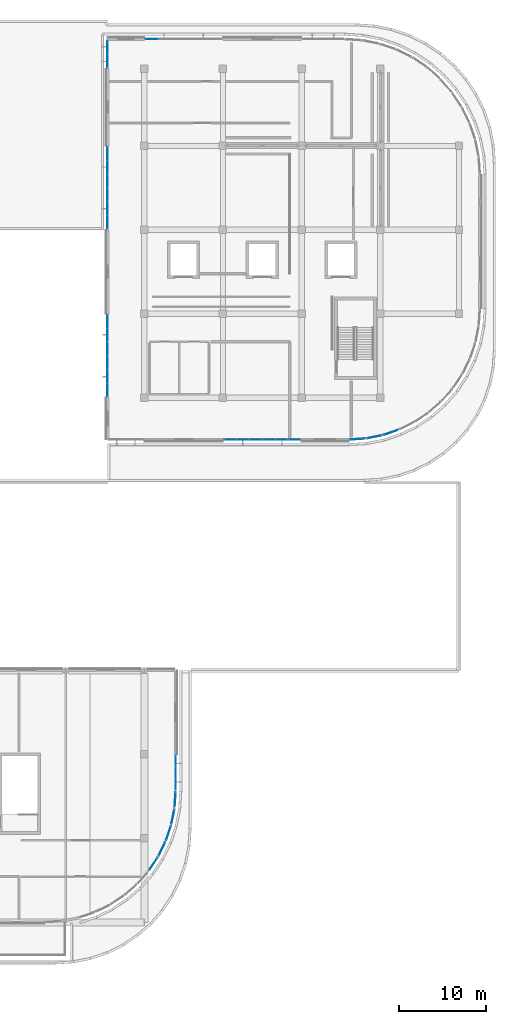
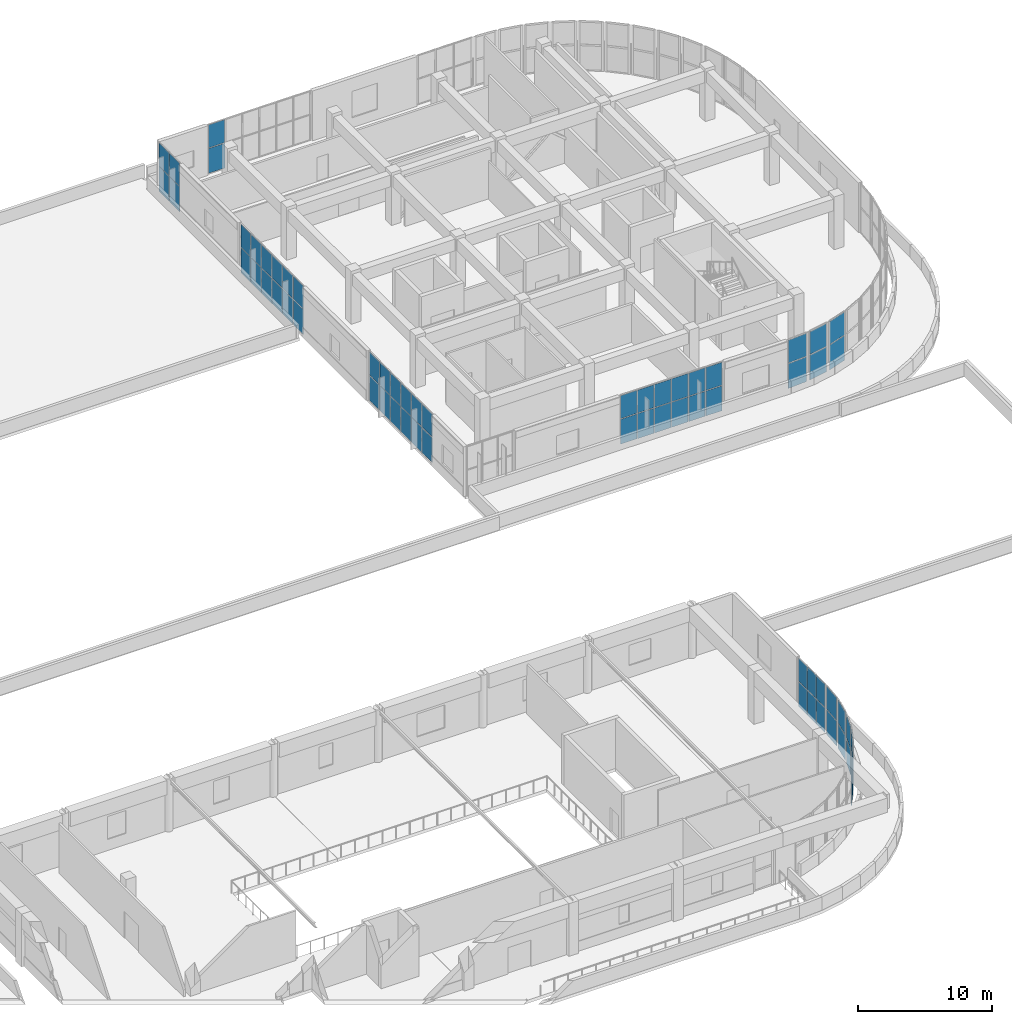
# One storey, part 33 of 67: 64 plates, 14 elements without a shape of their own.
"""IFC4 building model written with IfcOpenShell, lengths in metres."""

from ifc_helpers import new_model, si_unit, direction, frame, origin, origin_2d, place, context, subcontext, project, spatial, rectangle, extrude, material, layer, layer_set, type_object, element, aggregate, save


model = new_model("IFC4")

# Units and contexts
model_context = context("Model", 3, precision=1e-05, world=origin(), true_north=direction((0.0, 1.0)))
body_context = subcontext(model_context, "Body", "Model", "MODEL_VIEW")
ifc_project = project(units=[si_unit("LENGTHUNIT", "METRE"), si_unit("AREAUNIT", "SQUARE_METRE"), si_unit("VOLUMEUNIT", "CUBIC_METRE"), si_unit("PLANEANGLEUNIT", "RADIAN"), si_unit("MASSUNIT", "GRAM", prefix="KILO")], contexts=[model_context])

# Site, building, storey
site_placement = place(None, origin())
site = spatial("IfcSite", under=ifc_project, at=site_placement, CompositionType="ELEMENT")
building_placement = place(site_placement, origin())
building = spatial("IfcBuilding", under=site, at=building_placement, Name="Cendralis Terraced Arcade", CompositionType="ELEMENT")
storey_placement = place(building_placement, frame((0.0, 0.0, 15.0)))
storey = spatial("IfcBuildingStorey", under=building, at=storey_placement, Name="L03", CompositionType="ELEMENT", Elevation=15.0)

# Curtain wall, plates
ifc_material_1 = material(Name="Anodised aluminium EN AW-6063 T6", Category="aluminium")
ifc_layer_1 = layer(ifc_material_1, 0.1201171875, Name="CW-STORE-B")
ifc_layer_set_1 = layer_set([ifc_layer_1], Name="Anodised aluminium EN AW-6063 T6")
curtain_wall_type_1 = type_object("IfcCurtainWallType", Name="CW-STORE-B", PredefinedType="USERDEFINED", material=ifc_layer_set_1)
curtain_wall_1_placement = place(storey_placement, origin())
curtain_wall_1 = element("IfcCurtainWall", 1, at=curtain_wall_1_placement, inside=storey, type_object=curtain_wall_type_1, Name="Exterior Storefront Glazing CW-L03-0251", ObjectType="STOREFRONT GLAZING", PredefinedType="USERDEFINED")
ifc_material_2 = material(Name="Tempered solar control laminated glass", Category="glass")
ifc_layer_2 = layer(ifc_material_2, 0.02392578125, Name="CW-STORE-B-PNL")
ifc_layer_set_2 = layer_set([ifc_layer_2], Name="Tempered solar control laminated glass")
plate_type_1 = type_object("IfcPlateType", Name="CW-STORE-B-PNL", PredefinedType="CURTAIN_PANEL", material=ifc_layer_set_2)
plate_1_placement = place(storey_placement, frame((147.361328125, 64.800048828125, 0.05517578125), z_axis=(0.0, 0.0, 1.0), x_axis=(-1.0, 0.0, 0.0)))
plate_1 = element("IfcPlate", 2, at=plate_1_placement, type_object=plate_type_1, Name="CW-S2 panel 1.1", PredefinedType="CURTAIN_PANEL", context=body_context, shape_type="SweptSolid", body=[
    extrude(rectangle(XDim=1.387451171875, YDim=0.02392578125, at=origin_2d()), origin(), (0.0, 0.0, 1.0), 2.267822265625),
])
plate_2_placement = place(storey_placement, frame((147.361328125, 64.800048828125, 2.3779296875), z_axis=(0.0, 0.0, 1.0), x_axis=(-1.0, 0.0, 0.0)))
plate_2 = element("IfcPlate", 3, at=plate_2_placement, type_object=plate_type_1, Name="CW-S2 panel 1.2", PredefinedType="CURTAIN_PANEL", context=body_context, shape_type="SweptSolid", body=[
    extrude(rectangle(XDim=1.387451171875, YDim=0.02392578125, at=origin_2d()), origin(), (0.0, 0.0, 1.0), 2.087158203125),
])
plate_3_placement = place(storey_placement, frame((145.905029296875, 64.800048828125, 0.05517578125), z_axis=(0.0, 0.0, 1.0), x_axis=(-1.0, 0.0, 0.0)))
plate_3 = element("IfcPlate", 4, at=plate_3_placement, type_object=plate_type_1, Name="CW-S2 panel 2.1", PredefinedType="CURTAIN_PANEL", context=body_context, shape_type="SweptSolid", body=[
    extrude(rectangle(XDim=1.4150390625, YDim=0.02392578125, at=origin_2d()), origin(), (0.0, 0.0, 1.0), 2.267822265625),
])
plate_4_placement = place(storey_placement, frame((145.905029296875, 64.800048828125, 2.3779296875), z_axis=(0.0, 0.0, 1.0), x_axis=(-1.0, 0.0, 0.0)))
plate_4 = element("IfcPlate", 5, at=plate_4_placement, type_object=plate_type_1, Name="CW-S2 panel 2.2", PredefinedType="CURTAIN_PANEL", context=body_context, shape_type="SweptSolid", body=[
    extrude(rectangle(XDim=1.4150390625, YDim=0.02392578125, at=origin_2d()), origin(), (0.0, 0.0, 1.0), 2.087158203125),
])
plate_5_placement = place(storey_placement, frame((144.43505859375, 64.800048828125, 0.05517578125), z_axis=(0.0, 0.0, 1.0), x_axis=(-1.0, 0.0, 0.0)))
plate_5 = element("IfcPlate", 6, at=plate_5_placement, type_object=plate_type_1, Name="CW-S2 panel 3.1", PredefinedType="CURTAIN_PANEL", context=body_context, shape_type="SweptSolid", body=[
    extrude(rectangle(XDim=1.4150390625, YDim=0.02392578125, at=origin_2d()), origin(), (0.0, 0.0, 1.0), 2.267822265625),
])
plate_6_placement = place(storey_placement, frame((144.43505859375, 64.800048828125, 2.3779296875), z_axis=(0.0, 0.0, 1.0), x_axis=(-1.0, 0.0, 0.0)))
plate_6 = element("IfcPlate", 7, at=plate_6_placement, type_object=plate_type_1, Name="CW-S2 panel 3.2", PredefinedType="CURTAIN_PANEL", context=body_context, shape_type="SweptSolid", body=[
    extrude(rectangle(XDim=1.4150390625, YDim=0.02392578125, at=origin_2d()), origin(), (0.0, 0.0, 1.0), 2.087158203125),
])
plate_7_placement = place(storey_placement, frame((142.965087890625, 64.800048828125, 0.05517578125), z_axis=(0.0, 0.0, 1.0), x_axis=(-1.0, 0.0, 0.0)))
plate_7 = element("IfcPlate", 8, at=plate_7_placement, type_object=plate_type_1, Name="CW-S2 panel 4.1", PredefinedType="CURTAIN_PANEL", context=body_context, shape_type="SweptSolid", body=[
    extrude(rectangle(XDim=1.4150390625, YDim=0.02392578125, at=origin_2d()), origin(), (0.0, 0.0, 1.0), 2.267822265625),
])
plate_8_placement = place(storey_placement, frame((142.965087890625, 64.800048828125, 2.3779296875), z_axis=(0.0, 0.0, 1.0), x_axis=(-1.0, 0.0, 0.0)))
plate_8 = element("IfcPlate", 9, at=plate_8_placement, type_object=plate_type_1, Name="CW-S2 panel 4.2", PredefinedType="CURTAIN_PANEL", context=body_context, shape_type="SweptSolid", body=[
    extrude(rectangle(XDim=1.4150390625, YDim=0.02392578125, at=origin_2d()), origin(), (0.0, 0.0, 1.0), 2.087158203125),
])
plate_9_placement = place(storey_placement, frame((141.4951171875, 64.800048828125, 0.05517578125), z_axis=(0.0, 0.0, 1.0), x_axis=(-1.0, 0.0, 0.0)))
plate_9 = element("IfcPlate", 10, at=plate_9_placement, type_object=plate_type_1, Name="CW-S2 panel 5.1", PredefinedType="CURTAIN_PANEL", context=body_context, shape_type="SweptSolid", body=[
    extrude(rectangle(XDim=1.4150390625, YDim=0.02392578125, at=origin_2d()), origin(), (0.0, 0.0, 1.0), 2.267822265625),
])
plate_10_placement = place(storey_placement, frame((141.4951171875, 64.800048828125, 2.3779296875), z_axis=(0.0, 0.0, 1.0), x_axis=(-1.0, 0.0, 0.0)))
plate_10 = element("IfcPlate", 11, at=plate_10_placement, type_object=plate_type_1, Name="CW-S2 panel 5.2", PredefinedType="CURTAIN_PANEL", context=body_context, shape_type="SweptSolid", body=[
    extrude(rectangle(XDim=1.4150390625, YDim=0.02392578125, at=origin_2d()), origin(), (0.0, 0.0, 1.0), 2.087158203125),
])
plate_11_placement = place(storey_placement, frame((140.038818359375, 64.800048828125, 0.05517578125), z_axis=(0.0, 0.0, 1.0), x_axis=(-1.0, 0.0, 0.0)))
plate_11 = element("IfcPlate", 12, at=plate_11_placement, type_object=plate_type_1, Name="CW-S2 panel 6.1", PredefinedType="CURTAIN_PANEL", context=body_context, shape_type="SweptSolid", body=[
    extrude(rectangle(XDim=1.387451171875, YDim=0.02392578125, at=origin_2d()), origin(), (0.0, 0.0, 1.0), 2.267822265625),
])
plate_12_placement = place(storey_placement, frame((140.038818359375, 64.800048828125, 2.3779296875), z_axis=(0.0, 0.0, 1.0), x_axis=(-1.0, 0.0, 0.0)))
plate_12 = element("IfcPlate", 13, at=plate_12_placement, type_object=plate_type_1, Name="CW-S2 panel 6.2", PredefinedType="CURTAIN_PANEL", context=body_context, shape_type="SweptSolid", body=[
    extrude(rectangle(XDim=1.387451171875, YDim=0.02392578125, at=origin_2d()), origin(), (0.0, 0.0, 1.0), 2.087158203125),
])
aggregate(curtain_wall_1, [plate_1, plate_2, plate_3, plate_4, plate_5, plate_6, plate_7, plate_8, plate_9, plate_10, plate_11, plate_12])

curtain_wall_2_placement = place(storey_placement, origin())
curtain_wall_2 = element("IfcCurtainWall", 14, at=curtain_wall_2_placement, inside=storey, type_object=curtain_wall_type_1, Name="Exterior Storefront Glazing CW-L03-0253", ObjectType="STOREFRONT GLAZING", PredefinedType="USERDEFINED")
plate_13_placement = place(storey_placement, frame((126.0, 70.48876953125, 0.05517578125), z_axis=(0.0, 0.0, 1.0), x_axis=(0.0, 1.0, 0.0)))
plate_13 = element("IfcPlate", 15, at=plate_13_placement, type_object=plate_type_1, Name="CW-S2 panel 1.1", PredefinedType="CURTAIN_PANEL", context=body_context, shape_type="SweptSolid", body=[
    extrude(rectangle(XDim=1.487548828125, YDim=0.02392578125, at=origin_2d()), origin(), (0.0, 0.0, 1.0), 2.267822265625),
])
plate_14_placement = place(storey_placement, frame((126.0, 70.48876953125, 2.3779296875), z_axis=(0.0, 0.0, 1.0), x_axis=(0.0, 1.0, 0.0)))
plate_14 = element("IfcPlate", 16, at=plate_14_placement, type_object=plate_type_1, Name="CW-S2 panel 1.2", PredefinedType="CURTAIN_PANEL", context=body_context, shape_type="SweptSolid", body=[
    extrude(rectangle(XDim=1.487548828125, YDim=0.02392578125, at=origin_2d()), origin(), (0.0, 0.0, 1.0), 2.087158203125),
])
plate_15_placement = place(storey_placement, frame((126.0, 72.044921875, 0.05517578125), z_axis=(0.0, 0.0, 1.0), x_axis=(0.0, 1.0, 0.0)))
plate_15 = element("IfcPlate", 17, at=plate_15_placement, type_object=plate_type_1, Name="CW-S2 panel 2.1", PredefinedType="CURTAIN_PANEL", context=body_context, shape_type="SweptSolid", body=[
    extrude(rectangle(XDim=1.514892578125, YDim=0.02392578125, at=origin_2d()), origin(), (0.0, 0.0, 1.0), 2.267822265625),
])
plate_16_placement = place(storey_placement, frame((126.0, 72.044921875, 2.3779296875), z_axis=(0.0, 0.0, 1.0), x_axis=(0.0, 1.0, 0.0)))
plate_16 = element("IfcPlate", 18, at=plate_16_placement, type_object=plate_type_1, Name="CW-S2 panel 2.2", PredefinedType="CURTAIN_PANEL", context=body_context, shape_type="SweptSolid", body=[
    extrude(rectangle(XDim=1.514892578125, YDim=0.02392578125, at=origin_2d()), origin(), (0.0, 0.0, 1.0), 2.087158203125),
])
plate_17_placement = place(storey_placement, frame((126.0, 73.614990234375, 0.05517578125), z_axis=(0.0, 0.0, 1.0), x_axis=(0.0, 1.0, 0.0)))
plate_17 = element("IfcPlate", 19, at=plate_17_placement, type_object=plate_type_1, Name="CW-S2 panel 3.1", PredefinedType="CURTAIN_PANEL", context=body_context, shape_type="SweptSolid", body=[
    extrude(rectangle(XDim=1.514892578125, YDim=0.02392578125, at=origin_2d()), origin(), (0.0, 0.0, 1.0), 2.267822265625),
])
plate_18_placement = place(storey_placement, frame((126.0, 73.614990234375, 2.3779296875), z_axis=(0.0, 0.0, 1.0), x_axis=(0.0, 1.0, 0.0)))
plate_18 = element("IfcPlate", 20, at=plate_18_placement, type_object=plate_type_1, Name="CW-S2 panel 3.2", PredefinedType="CURTAIN_PANEL", context=body_context, shape_type="SweptSolid", body=[
    extrude(rectangle(XDim=1.514892578125, YDim=0.02392578125, at=origin_2d()), origin(), (0.0, 0.0, 1.0), 2.087158203125),
])
plate_19_placement = place(storey_placement, frame((126.0, 75.18505859375, 0.05517578125), z_axis=(0.0, 0.0, 1.0), x_axis=(0.0, 1.0, 0.0)))
plate_19 = element("IfcPlate", 21, at=plate_19_placement, type_object=plate_type_1, Name="CW-S2 panel 4.1", PredefinedType="CURTAIN_PANEL", context=body_context, shape_type="SweptSolid", body=[
    extrude(rectangle(XDim=1.514892578125, YDim=0.02392578125, at=origin_2d()), origin(), (0.0, 0.0, 1.0), 2.267822265625),
])
plate_20_placement = place(storey_placement, frame((126.0, 75.18505859375, 2.3779296875), z_axis=(0.0, 0.0, 1.0), x_axis=(0.0, 1.0, 0.0)))
plate_20 = element("IfcPlate", 22, at=plate_20_placement, type_object=plate_type_1, Name="CW-S2 panel 4.2", PredefinedType="CURTAIN_PANEL", context=body_context, shape_type="SweptSolid", body=[
    extrude(rectangle(XDim=1.514892578125, YDim=0.02392578125, at=origin_2d()), origin(), (0.0, 0.0, 1.0), 2.087158203125),
])
plate_21_placement = place(storey_placement, frame((126.0, 76.7548828125, 0.05517578125), z_axis=(0.0, 0.0, 1.0), x_axis=(0.0, 1.0, 0.0)))
plate_21 = element("IfcPlate", 23, at=plate_21_placement, type_object=plate_type_1, Name="CW-S2 panel 5.1", PredefinedType="CURTAIN_PANEL", context=body_context, shape_type="SweptSolid", body=[
    extrude(rectangle(XDim=1.514892578125, YDim=0.02392578125, at=origin_2d()), origin(), (0.0, 0.0, 1.0), 2.267822265625),
])
plate_22_placement = place(storey_placement, frame((126.0, 76.7548828125, 2.3779296875), z_axis=(0.0, 0.0, 1.0), x_axis=(0.0, 1.0, 0.0)))
plate_22 = element("IfcPlate", 24, at=plate_22_placement, type_object=plate_type_1, Name="CW-S2 panel 5.2", PredefinedType="CURTAIN_PANEL", context=body_context, shape_type="SweptSolid", body=[
    extrude(rectangle(XDim=1.514892578125, YDim=0.02392578125, at=origin_2d()), origin(), (0.0, 0.0, 1.0), 2.087158203125),
])
plate_23_placement = place(storey_placement, frame((126.0, 78.311279296875, 0.05517578125), z_axis=(0.0, 0.0, 1.0), x_axis=(0.0, 1.0, 0.0)))
plate_23 = element("IfcPlate", 25, at=plate_23_placement, type_object=plate_type_1, Name="CW-S2 panel 6.1", PredefinedType="CURTAIN_PANEL", context=body_context, shape_type="SweptSolid", body=[
    extrude(rectangle(XDim=1.487548828125, YDim=0.02392578125, at=origin_2d()), origin(), (0.0, 0.0, 1.0), 2.267822265625),
])
plate_24_placement = place(storey_placement, frame((126.0, 78.311279296875, 2.3779296875), z_axis=(0.0, 0.0, 1.0), x_axis=(0.0, 1.0, 0.0)))
plate_24 = element("IfcPlate", 26, at=plate_24_placement, type_object=plate_type_1, Name="CW-S2 panel 6.2", PredefinedType="CURTAIN_PANEL", context=body_context, shape_type="SweptSolid", body=[
    extrude(rectangle(XDim=1.487548828125, YDim=0.02392578125, at=origin_2d()), origin(), (0.0, 0.0, 1.0), 2.087158203125),
])
aggregate(curtain_wall_2, [plate_13, plate_14, plate_15, plate_16, plate_17, plate_18, plate_19, plate_20, plate_21, plate_22, plate_23, plate_24])

curtain_wall_3_placement = place(storey_placement, origin())
curtain_wall_3 = element("IfcCurtainWall", 27, at=curtain_wall_3_placement, inside=storey, type_object=curtain_wall_type_1, Name="Exterior Storefront Glazing CW-L03-0254", ObjectType="STOREFRONT GLAZING", PredefinedType="USERDEFINED")
plate_25_placement = place(storey_placement, frame((126.0, 89.688720703125, 0.05517578125), z_axis=(0.0, 0.0, 1.0), x_axis=(0.0, 1.0, 0.0)))
plate_25 = element("IfcPlate", 28, at=plate_25_placement, type_object=plate_type_1, Name="CW-S2 panel 1.1", PredefinedType="CURTAIN_PANEL", context=body_context, shape_type="SweptSolid", body=[
    extrude(rectangle(XDim=1.487548828125, YDim=0.02392578125, at=origin_2d()), origin(), (0.0, 0.0, 1.0), 2.267822265625),
])
plate_26_placement = place(storey_placement, frame((126.0, 89.688720703125, 2.3779296875), z_axis=(0.0, 0.0, 1.0), x_axis=(0.0, 1.0, 0.0)))
plate_26 = element("IfcPlate", 29, at=plate_26_placement, type_object=plate_type_1, Name="CW-S2 panel 1.2", PredefinedType="CURTAIN_PANEL", context=body_context, shape_type="SweptSolid", body=[
    extrude(rectangle(XDim=1.487548828125, YDim=0.02392578125, at=origin_2d()), origin(), (0.0, 0.0, 1.0), 2.087158203125),
])
plate_27_placement = place(storey_placement, frame((126.0, 91.2451171875, 0.05517578125), z_axis=(0.0, 0.0, 1.0), x_axis=(0.0, 1.0, 0.0)))
plate_27 = element("IfcPlate", 30, at=plate_27_placement, type_object=plate_type_1, Name="CW-S2 panel 2.1", PredefinedType="CURTAIN_PANEL", context=body_context, shape_type="SweptSolid", body=[
    extrude(rectangle(XDim=1.514892578125, YDim=0.02392578125, at=origin_2d()), origin(), (0.0, 0.0, 1.0), 2.267822265625),
])
plate_28_placement = place(storey_placement, frame((126.0, 91.2451171875, 2.3779296875), z_axis=(0.0, 0.0, 1.0), x_axis=(0.0, 1.0, 0.0)))
plate_28 = element("IfcPlate", 31, at=plate_28_placement, type_object=plate_type_1, Name="CW-S2 panel 2.2", PredefinedType="CURTAIN_PANEL", context=body_context, shape_type="SweptSolid", body=[
    extrude(rectangle(XDim=1.514892578125, YDim=0.02392578125, at=origin_2d()), origin(), (0.0, 0.0, 1.0), 2.087158203125),
])
plate_29_placement = place(storey_placement, frame((126.0, 92.81494140625, 0.05517578125), z_axis=(0.0, 0.0, 1.0), x_axis=(0.0, 1.0, 0.0)))
plate_29 = element("IfcPlate", 32, at=plate_29_placement, type_object=plate_type_1, Name="CW-S2 panel 3.1", PredefinedType="CURTAIN_PANEL", context=body_context, shape_type="SweptSolid", body=[
    extrude(rectangle(XDim=1.514892578125, YDim=0.02392578125, at=origin_2d()), origin(), (0.0, 0.0, 1.0), 2.267822265625),
])
plate_30_placement = place(storey_placement, frame((126.0, 92.81494140625, 2.3779296875), z_axis=(0.0, 0.0, 1.0), x_axis=(0.0, 1.0, 0.0)))
plate_30 = element("IfcPlate", 33, at=plate_30_placement, type_object=plate_type_1, Name="CW-S2 panel 3.2", PredefinedType="CURTAIN_PANEL", context=body_context, shape_type="SweptSolid", body=[
    extrude(rectangle(XDim=1.514892578125, YDim=0.02392578125, at=origin_2d()), origin(), (0.0, 0.0, 1.0), 2.087158203125),
])
plate_31_placement = place(storey_placement, frame((126.0, 94.385009765625, 0.05517578125), z_axis=(0.0, 0.0, 1.0), x_axis=(0.0, 1.0, 0.0)))
plate_31 = element("IfcPlate", 34, at=plate_31_placement, type_object=plate_type_1, Name="CW-S2 panel 4.1", PredefinedType="CURTAIN_PANEL", context=body_context, shape_type="SweptSolid", body=[
    extrude(rectangle(XDim=1.514892578125, YDim=0.02392578125, at=origin_2d()), origin(), (0.0, 0.0, 1.0), 2.267822265625),
])
plate_32_placement = place(storey_placement, frame((126.0, 94.385009765625, 2.3779296875), z_axis=(0.0, 0.0, 1.0), x_axis=(0.0, 1.0, 0.0)))
plate_32 = element("IfcPlate", 35, at=plate_32_placement, type_object=plate_type_1, Name="CW-S2 panel 4.2", PredefinedType="CURTAIN_PANEL", context=body_context, shape_type="SweptSolid", body=[
    extrude(rectangle(XDim=1.514892578125, YDim=0.02392578125, at=origin_2d()), origin(), (0.0, 0.0, 1.0), 2.087158203125),
])
plate_33_placement = place(storey_placement, frame((126.0, 95.955078125, 0.05517578125), z_axis=(0.0, 0.0, 1.0), x_axis=(0.0, 1.0, 0.0)))
plate_33 = element("IfcPlate", 36, at=plate_33_placement, type_object=plate_type_1, Name="CW-S2 panel 5.1", PredefinedType="CURTAIN_PANEL", context=body_context, shape_type="SweptSolid", body=[
    extrude(rectangle(XDim=1.514892578125, YDim=0.02392578125, at=origin_2d()), origin(), (0.0, 0.0, 1.0), 2.267822265625),
])
plate_34_placement = place(storey_placement, frame((126.0, 95.955078125, 2.3779296875), z_axis=(0.0, 0.0, 1.0), x_axis=(0.0, 1.0, 0.0)))
plate_34 = element("IfcPlate", 37, at=plate_34_placement, type_object=plate_type_1, Name="CW-S2 panel 5.2", PredefinedType="CURTAIN_PANEL", context=body_context, shape_type="SweptSolid", body=[
    extrude(rectangle(XDim=1.514892578125, YDim=0.02392578125, at=origin_2d()), origin(), (0.0, 0.0, 1.0), 2.087158203125),
])
plate_35_placement = place(storey_placement, frame((126.0, 97.51123046875, 0.05517578125), z_axis=(0.0, 0.0, 1.0), x_axis=(0.0, 1.0, 0.0)))
plate_35 = element("IfcPlate", 38, at=plate_35_placement, type_object=plate_type_1, Name="CW-S2 panel 6.1", PredefinedType="CURTAIN_PANEL", context=body_context, shape_type="SweptSolid", body=[
    extrude(rectangle(XDim=1.487548828125, YDim=0.02392578125, at=origin_2d()), origin(), (0.0, 0.0, 1.0), 2.267822265625),
])
plate_36_placement = place(storey_placement, frame((126.0, 97.51123046875, 2.3779296875), z_axis=(0.0, 0.0, 1.0), x_axis=(0.0, 1.0, 0.0)))
plate_36 = element("IfcPlate", 39, at=plate_36_placement, type_object=plate_type_1, Name="CW-S2 panel 6.2", PredefinedType="CURTAIN_PANEL", context=body_context, shape_type="SweptSolid", body=[
    extrude(rectangle(XDim=1.487548828125, YDim=0.02392578125, at=origin_2d()), origin(), (0.0, 0.0, 1.0), 2.087158203125),
])
aggregate(curtain_wall_3, [plate_25, plate_26, plate_27, plate_28, plate_29, plate_30, plate_31, plate_32, plate_33, plate_34, plate_35, plate_36])

curtain_wall_4_placement = place(storey_placement, origin())
curtain_wall_4 = element("IfcCurtainWall", 40, at=curtain_wall_4_placement, inside=storey, type_object=curtain_wall_type_1, Name="Exterior Storefront Glazing CW-L03-0255", ObjectType="STOREFRONT GLAZING", PredefinedType="USERDEFINED")
plate_37_placement = place(storey_placement, frame((126.0, 108.108642578125, 0.05517578125), z_axis=(0.0, 0.0, 1.0), x_axis=(0.0, 1.0, 0.0)))
plate_37 = element("IfcPlate", 41, at=plate_37_placement, type_object=plate_type_1, Name="CW-S2 panel 1.1", PredefinedType="CURTAIN_PANEL", context=body_context, shape_type="SweptSolid", body=[
    extrude(rectangle(XDim=1.527587890625, YDim=0.02392578125, at=origin_2d()), origin(), (0.0, 0.0, 1.0), 2.267822265625),
])
plate_38_placement = place(storey_placement, frame((126.0, 108.108642578125, 2.3779296875), z_axis=(0.0, 0.0, 1.0), x_axis=(0.0, 1.0, 0.0)))
plate_38 = element("IfcPlate", 42, at=plate_38_placement, type_object=plate_type_1, Name="CW-S2 panel 1.2", PredefinedType="CURTAIN_PANEL", context=body_context, shape_type="SweptSolid", body=[
    extrude(rectangle(XDim=1.527587890625, YDim=0.02392578125, at=origin_2d()), origin(), (0.0, 0.0, 1.0), 2.087158203125),
])
plate_39_placement = place(storey_placement, frame((126.0, 109.691162109375, 0.05517578125), z_axis=(0.0, 0.0, 1.0), x_axis=(0.0, 1.0, 0.0)))
plate_39 = element("IfcPlate", 43, at=plate_39_placement, type_object=plate_type_1, Name="CW-S2 panel 2.1", PredefinedType="CURTAIN_PANEL", context=body_context, shape_type="SweptSolid", body=[
    extrude(rectangle(XDim=1.527587890625, YDim=0.02392578125, at=origin_2d()), origin(), (0.0, 0.0, 1.0), 2.267822265625),
])
plate_40_placement = place(storey_placement, frame((126.0, 109.691162109375, 2.3779296875), z_axis=(0.0, 0.0, 1.0), x_axis=(0.0, 1.0, 0.0)))
plate_40 = element("IfcPlate", 44, at=plate_40_placement, type_object=plate_type_1, Name="CW-S2 panel 2.2", PredefinedType="CURTAIN_PANEL", context=body_context, shape_type="SweptSolid", body=[
    extrude(rectangle(XDim=1.527587890625, YDim=0.02392578125, at=origin_2d()), origin(), (0.0, 0.0, 1.0), 2.087158203125),
])
aggregate(curtain_wall_4, [plate_37, plate_38, plate_39, plate_40])

curtain_wall_5_placement = place(storey_placement, origin())
curtain_wall_5 = element("IfcCurtainWall", 45, at=curtain_wall_5_placement, inside=storey, type_object=curtain_wall_type_1, Name="Exterior Storefront Glazing CW-L03-0256", ObjectType="STOREFRONT GLAZING", PredefinedType="USERDEFINED")
plate_41_placement = place(storey_placement, frame((131.038818359375, 110.60009765625, 0.05517578125), z_axis=(0.0, 0.0, 1.0), x_axis=(1.0, 0.0, 0.0)))
plate_41 = element("IfcPlate", 46, at=plate_41_placement, type_object=plate_type_1, Name="CW-S2 panel 1.1", PredefinedType="CURTAIN_PANEL", context=body_context, shape_type="SweptSolid", body=[
    extrude(rectangle(XDim=1.387451171875, YDim=0.02392578125, at=origin_2d()), origin(), (0.0, 0.0, 1.0), 2.267822265625),
])
plate_42_placement = place(storey_placement, frame((131.038818359375, 110.60009765625, 2.3779296875), z_axis=(0.0, 0.0, 1.0), x_axis=(1.0, 0.0, 0.0)))
plate_42 = element("IfcPlate", 47, at=plate_42_placement, type_object=plate_type_1, Name="CW-S2 panel 1.2", PredefinedType="CURTAIN_PANEL", context=body_context, shape_type="SweptSolid", body=[
    extrude(rectangle(XDim=1.387451171875, YDim=0.02392578125, at=origin_2d()), origin(), (0.0, 0.0, 1.0), 2.087158203125),
])
aggregate(curtain_wall_5, [plate_41, plate_42])

curtain_wall_6_placement = place(storey_placement, origin())
curtain_wall_6 = element("IfcCurtainWall", 48, at=curtain_wall_6_placement, inside=storey, type_object=curtain_wall_type_1, Name="Exterior Storefront Glazing CW-L03-0258", ObjectType="STOREFRONT GLAZING", PredefinedType="USERDEFINED")
plate_43_placement = place(storey_placement, frame((133.800048828125, 28.0263671875, 0.05517578125), z_axis=(0.0, 0.0, 1.0), x_axis=(0.0, -1.0, 0.0)))
plate_43 = element("IfcPlate", 49, at=plate_43_placement, type_object=plate_type_1, Name="CW-S2 panel 1.1", PredefinedType="CURTAIN_PANEL", context=body_context, shape_type="SweptSolid", body=[
    extrude(rectangle(XDim=1.257568359375, YDim=0.02392578125, at=origin_2d()), origin(), (0.0, 0.0, 1.0), 2.267822265625),
])
plate_44_placement = place(storey_placement, frame((133.800048828125, 28.0263671875, 2.3779296875), z_axis=(0.0, 0.0, 1.0), x_axis=(0.0, -1.0, 0.0)))
plate_44 = element("IfcPlate", 50, at=plate_44_placement, type_object=plate_type_1, Name="CW-S2 panel 1.2", PredefinedType="CURTAIN_PANEL", context=body_context, shape_type="SweptSolid", body=[
    extrude(rectangle(XDim=1.257568359375, YDim=0.02392578125, at=origin_2d()), origin(), (0.0, 0.0, 1.0), 2.087158203125),
])
plate_45_placement = place(storey_placement, frame((133.800048828125, 26.699951171875, 0.05517578125), z_axis=(0.0, 0.0, 1.0), x_axis=(0.0, -1.0, 0.0)))
plate_45 = element("IfcPlate", 51, at=plate_45_placement, type_object=plate_type_1, Name="CW-S2 panel 2.1", PredefinedType="CURTAIN_PANEL", context=body_context, shape_type="SweptSolid", body=[
    extrude(rectangle(XDim=1.284912109375, YDim=0.02392578125, at=origin_2d()), origin(), (0.0, 0.0, 1.0), 2.267822265625),
])
plate_46_placement = place(storey_placement, frame((133.800048828125, 26.699951171875, 2.3779296875), z_axis=(0.0, 0.0, 1.0), x_axis=(0.0, -1.0, 0.0)))
plate_46 = element("IfcPlate", 52, at=plate_46_placement, type_object=plate_type_1, Name="CW-S2 panel 2.2", PredefinedType="CURTAIN_PANEL", context=body_context, shape_type="SweptSolid", body=[
    extrude(rectangle(XDim=1.284912109375, YDim=0.02392578125, at=origin_2d()), origin(), (0.0, 0.0, 1.0), 2.087158203125),
])
plate_47_placement = place(storey_placement, frame((133.800048828125, 25.373779296875, 0.05517578125), z_axis=(0.0, 0.0, 1.0), x_axis=(0.0, -1.0, 0.0)))
plate_47 = element("IfcPlate", 53, at=plate_47_placement, type_object=plate_type_1, Name="CW-S2 panel 3.1", PredefinedType="CURTAIN_PANEL", context=body_context, shape_type="SweptSolid", body=[
    extrude(rectangle(XDim=1.257568359375, YDim=0.02392578125, at=origin_2d()), origin(), (0.0, 0.0, 1.0), 2.267822265625),
])
plate_48_placement = place(storey_placement, frame((133.800048828125, 25.373779296875, 2.3779296875), z_axis=(0.0, 0.0, 1.0), x_axis=(0.0, -1.0, 0.0)))
plate_48 = element("IfcPlate", 54, at=plate_48_placement, type_object=plate_type_1, Name="CW-S2 panel 3.2", PredefinedType="CURTAIN_PANEL", context=body_context, shape_type="SweptSolid", body=[
    extrude(rectangle(XDim=1.257568359375, YDim=0.02392578125, at=origin_2d()), origin(), (0.0, 0.0, 1.0), 2.087158203125),
])
aggregate(curtain_wall_6, [plate_43, plate_44, plate_45, plate_46, plate_47, plate_48])

ifc_layer_3 = layer(ifc_material_1, 0.179931640625, Name="CW-UNIT-A")
ifc_layer_set_3 = layer_set([ifc_layer_3], Name="Anodised aluminium EN AW-6063 T6")
curtain_wall_type_2 = type_object("IfcCurtainWallType", Name="CW-UNIT-A", PredefinedType="USERDEFINED", material=ifc_layer_set_3)
curtain_wall_7_placement = place(storey_placement, origin())
curtain_wall_7 = element("IfcCurtainWall", 55, at=curtain_wall_7_placement, inside=storey, type_object=curtain_wall_type_2, Name="Exterior Unitised Facade CW-L03-0248", ObjectType="UNITISED FACADE", PredefinedType="USERDEFINED")
ifc_layer_4 = layer(ifc_material_2, 0.035888671875, Name="CW-UNIT-A-PNL")
ifc_layer_set_4 = layer_set([ifc_layer_4], Name="Tempered solar control laminated glass")
plate_type_2 = type_object("IfcPlateType", Name="CW-UNIT-A-PNL", PredefinedType="CURTAIN_PANEL", material=ifc_layer_set_4)
plate_49_placement = place(storey_placement, frame((158.411376953125, 65.62646484375, 0.06494140625), z_axis=(0.0, 0.0, 1.0), x_axis=(-0.946923811316, -0.321458077458, 0.0)))
plate_49 = element("IfcPlate", 56, at=plate_49_placement, type_object=plate_type_2, Name="CW-U1 panel 1.1", PredefinedType="CURTAIN_PANEL", context=body_context, shape_type="SweptSolid", body=[
    extrude(rectangle(XDim=1.652099609375, YDim=0.035888671875, at=origin_2d()), origin(), (0.0, 0.0, 1.0), 2.2529296875),
])
plate_50_placement = place(storey_placement, frame((158.411376953125, 65.62646484375, 2.3828125), z_axis=(0.0, 0.0, 1.0), x_axis=(-0.946923811316, -0.321458077458, 0.0)))
plate_50 = element("IfcPlate", 57, at=plate_50_placement, type_object=plate_type_2, Name="CW-U1 panel 1.2", PredefinedType="CURTAIN_PANEL", context=body_context, shape_type="SweptSolid", body=[
    extrude(rectangle(XDim=1.652099609375, YDim=0.035888671875, at=origin_2d()), origin(), (0.0, 0.0, 1.0), 2.072021484375),
])
aggregate(curtain_wall_7, [plate_49, plate_50])

curtain_wall_8_placement = place(storey_placement, origin())
curtain_wall_8 = element("IfcCurtainWall", 58, at=curtain_wall_8_placement, inside=storey, type_object=curtain_wall_type_2, Name="Exterior Unitised Facade CW-L03-0249", ObjectType="UNITISED FACADE", PredefinedType="USERDEFINED")
plate_51_placement = place(storey_placement, frame((156.52001953125, 65.11962890625, 0.06494140625), z_axis=(0.0, 0.0, 1.0), x_axis=(-0.980791618721, -0.195058454434, 0.0)))
plate_51 = element("IfcPlate", 59, at=plate_51_placement, type_object=plate_type_2, Name="CW-U1 panel 1.1", PredefinedType="CURTAIN_PANEL", context=body_context, shape_type="SweptSolid", body=[
    extrude(rectangle(XDim=1.652099609375, YDim=0.035888671875, at=origin_2d()), origin(), (0.0, 0.0, 1.0), 2.2529296875),
])
plate_52_placement = place(storey_placement, frame((156.52001953125, 65.11962890625, 2.3828125), z_axis=(0.0, 0.0, 1.0), x_axis=(-0.980791618721, -0.195058454434, 0.0)))
plate_52 = element("IfcPlate", 60, at=plate_52_placement, type_object=plate_type_2, Name="CW-U1 panel 1.2", PredefinedType="CURTAIN_PANEL", context=body_context, shape_type="SweptSolid", body=[
    extrude(rectangle(XDim=1.652099609375, YDim=0.035888671875, at=origin_2d()), origin(), (0.0, 0.0, 1.0), 2.072021484375),
])
aggregate(curtain_wall_8, [plate_51, plate_52])

curtain_wall_9_placement = place(storey_placement, origin())
curtain_wall_9 = element("IfcCurtainWall", 61, at=curtain_wall_9_placement, inside=storey, type_object=curtain_wall_type_2, Name="Exterior Unitised Facade CW-L03-0250", ObjectType="UNITISED FACADE", PredefinedType="USERDEFINED")
plate_53_placement = place(storey_placement, frame((154.578857421875, 64.8642578125, 0.06494140625), z_axis=(0.0, 0.0, 1.0), x_axis=(-0.997860971336, -0.065371873798, 0.0)))
plate_53 = element("IfcPlate", 62, at=plate_53_placement, type_object=plate_type_2, Name="CW-U1 panel 1.1", PredefinedType="CURTAIN_PANEL", context=body_context, shape_type="SweptSolid", body=[
    extrude(rectangle(XDim=1.652099609375, YDim=0.035888671875, at=origin_2d()), origin(), (0.0, 0.0, 1.0), 2.2529296875),
])
plate_54_placement = place(storey_placement, frame((154.578857421875, 64.8642578125, 2.3828125), z_axis=(0.0, 0.0, 1.0), x_axis=(-0.997860971336, -0.065371873798, 0.0)))
plate_54 = element("IfcPlate", 63, at=plate_54_placement, type_object=plate_type_2, Name="CW-U1 panel 1.2", PredefinedType="CURTAIN_PANEL", context=body_context, shape_type="SweptSolid", body=[
    extrude(rectangle(XDim=1.652099609375, YDim=0.035888671875, at=origin_2d()), origin(), (0.0, 0.0, 1.0), 2.072021484375),
])
aggregate(curtain_wall_9, [plate_53, plate_54])

curtain_wall_10_placement = place(storey_placement, origin())
curtain_wall_10 = element("IfcCurtainWall", 64, at=curtain_wall_10_placement, inside=storey, type_object=curtain_wall_type_2, Name="Exterior Unitised Facade CW-L03-0259", ObjectType="UNITISED FACADE", PredefinedType="USERDEFINED")
plate_55_placement = place(storey_placement, frame((133.73583984375, 23.62109375, 0.06494140625), z_axis=(0.0, 0.0, 1.0), x_axis=(-0.065371873798, -0.997860971336, 0.0)))
plate_55 = element("IfcPlate", 65, at=plate_55_placement, type_object=plate_type_2, Name="CW-U1 panel 1.1", PredefinedType="CURTAIN_PANEL", context=body_context, shape_type="SweptSolid", body=[
    extrude(rectangle(XDim=1.652099609375, YDim=0.035888671875, at=origin_2d()), origin(), (0.0, 0.0, 1.0), 2.2529296875),
])
plate_56_placement = place(storey_placement, frame((133.73583984375, 23.62109375, 2.3828125), z_axis=(0.0, 0.0, 1.0), x_axis=(-0.065371873798, -0.997860971336, 0.0)))
plate_56 = element("IfcPlate", 66, at=plate_56_placement, type_object=plate_type_2, Name="CW-U1 panel 1.2", PredefinedType="CURTAIN_PANEL", context=body_context, shape_type="SweptSolid", body=[
    extrude(rectangle(XDim=1.652099609375, YDim=0.035888671875, at=origin_2d()), origin(), (0.0, 0.0, 1.0), 2.072021484375),
])
aggregate(curtain_wall_10, [plate_55, plate_56])

curtain_wall_11_placement = place(storey_placement, origin())
curtain_wall_11 = element("IfcCurtainWall", 67, at=curtain_wall_11_placement, inside=storey, type_object=curtain_wall_type_2, Name="Exterior Unitised Facade CW-L03-0260", ObjectType="UNITISED FACADE", PredefinedType="USERDEFINED")
plate_57_placement = place(storey_placement, frame((133.480224609375, 21.679931640625, 0.06494140625), z_axis=(0.0, 0.0, 1.0), x_axis=(-0.195058454434, -0.980791618721, 0.0)))
plate_57 = element("IfcPlate", 68, at=plate_57_placement, type_object=plate_type_2, Name="CW-U1 panel 1.1", PredefinedType="CURTAIN_PANEL", context=body_context, shape_type="SweptSolid", body=[
    extrude(rectangle(XDim=1.652099609375, YDim=0.035888671875, at=origin_2d()), origin(), (0.0, 0.0, 1.0), 2.2529296875),
])
plate_58_placement = place(storey_placement, frame((133.480224609375, 21.679931640625, 2.3828125), z_axis=(0.0, 0.0, 1.0), x_axis=(-0.195058454434, -0.980791618721, 0.0)))
plate_58 = element("IfcPlate", 69, at=plate_58_placement, type_object=plate_type_2, Name="CW-U1 panel 1.2", PredefinedType="CURTAIN_PANEL", context=body_context, shape_type="SweptSolid", body=[
    extrude(rectangle(XDim=1.652099609375, YDim=0.035888671875, at=origin_2d()), origin(), (0.0, 0.0, 1.0), 2.072021484375),
])
aggregate(curtain_wall_11, [plate_57, plate_58])

curtain_wall_12_placement = place(storey_placement, origin())
curtain_wall_12 = element("IfcCurtainWall", 70, at=curtain_wall_12_placement, inside=storey, type_object=curtain_wall_type_2, Name="Exterior Unitised Facade CW-L03-0261", ObjectType="UNITISED FACADE", PredefinedType="USERDEFINED")
plate_59_placement = place(storey_placement, frame((132.9736328125, 19.788818359375, 0.06494140625), z_axis=(0.0, 0.0, 1.0), x_axis=(-0.321458077458, -0.946923811316, 0.0)))
plate_59 = element("IfcPlate", 71, at=plate_59_placement, type_object=plate_type_2, Name="CW-U1 panel 1.1", PredefinedType="CURTAIN_PANEL", context=body_context, shape_type="SweptSolid", body=[
    extrude(rectangle(XDim=1.652099609375, YDim=0.035888671875, at=origin_2d()), origin(), (0.0, 0.0, 1.0), 2.2529296875),
])
plate_60_placement = place(storey_placement, frame((132.9736328125, 19.788818359375, 2.3828125), z_axis=(0.0, 0.0, 1.0), x_axis=(-0.321458077458, -0.946923811316, 0.0)))
plate_60 = element("IfcPlate", 72, at=plate_60_placement, type_object=plate_type_2, Name="CW-U1 panel 1.2", PredefinedType="CURTAIN_PANEL", context=body_context, shape_type="SweptSolid", body=[
    extrude(rectangle(XDim=1.652099609375, YDim=0.035888671875, at=origin_2d()), origin(), (0.0, 0.0, 1.0), 2.072021484375),
])
aggregate(curtain_wall_12, [plate_59, plate_60])

curtain_wall_13_placement = place(storey_placement, origin())
curtain_wall_13 = element("IfcCurtainWall", 73, at=curtain_wall_13_placement, inside=storey, type_object=curtain_wall_type_2, Name="Exterior Unitised Facade CW-L03-0262", ObjectType="UNITISED FACADE", PredefinedType="USERDEFINED")
plate_61_placement = place(storey_placement, frame((132.224365234375, 17.979736328125, 0.06494140625), z_axis=(0.0, 0.0, 1.0), x_axis=(-0.442291247495, -0.896871480419, 0.0)))
plate_61 = element("IfcPlate", 74, at=plate_61_placement, type_object=plate_type_2, Name="CW-U1 panel 1.1", PredefinedType="CURTAIN_PANEL", context=body_context, shape_type="SweptSolid", body=[
    extrude(rectangle(XDim=1.652099609375, YDim=0.035888671875, at=origin_2d()), origin(), (0.0, 0.0, 1.0), 2.2529296875),
])
plate_62_placement = place(storey_placement, frame((132.224365234375, 17.979736328125, 2.3828125), z_axis=(0.0, 0.0, 1.0), x_axis=(-0.442291247495, -0.896871480419, 0.0)))
plate_62 = element("IfcPlate", 75, at=plate_62_placement, type_object=plate_type_2, Name="CW-U1 panel 1.2", PredefinedType="CURTAIN_PANEL", context=body_context, shape_type="SweptSolid", body=[
    extrude(rectangle(XDim=1.652099609375, YDim=0.035888671875, at=origin_2d()), origin(), (0.0, 0.0, 1.0), 2.072021484375),
])
aggregate(curtain_wall_13, [plate_61, plate_62])

curtain_wall_14_placement = place(storey_placement, origin())
curtain_wall_14 = element("IfcCurtainWall", 76, at=curtain_wall_14_placement, inside=storey, type_object=curtain_wall_type_2, Name="Exterior Unitised Facade CW-L03-0263", ObjectType="UNITISED FACADE", PredefinedType="USERDEFINED")
plate_63_placement = place(storey_placement, frame((131.245361328125, 16.2841796875, 0.06494140625), z_axis=(0.0, 0.0, 1.0), x_axis=(-0.555567476528, -0.831471454125, 0.0)))
plate_63 = element("IfcPlate", 77, at=plate_63_placement, type_object=plate_type_2, Name="CW-U1 panel 1.1", PredefinedType="CURTAIN_PANEL", context=body_context, shape_type="SweptSolid", body=[
    extrude(rectangle(XDim=1.652099609375, YDim=0.035888671875, at=origin_2d()), origin(), (0.0, 0.0, 1.0), 2.2529296875),
])
plate_64_placement = place(storey_placement, frame((131.245361328125, 16.2841796875, 2.3828125), z_axis=(0.0, 0.0, 1.0), x_axis=(-0.555567476528, -0.831471454125, 0.0)))
plate_64 = element("IfcPlate", 78, at=plate_64_placement, type_object=plate_type_2, Name="CW-U1 panel 1.2", PredefinedType="CURTAIN_PANEL", context=body_context, shape_type="SweptSolid", body=[
    extrude(rectangle(XDim=1.652099609375, YDim=0.035888671875, at=origin_2d()), origin(), (0.0, 0.0, 1.0), 2.072021484375),
])
aggregate(curtain_wall_14, [plate_63, plate_64])

save(model, "model.ifc")
